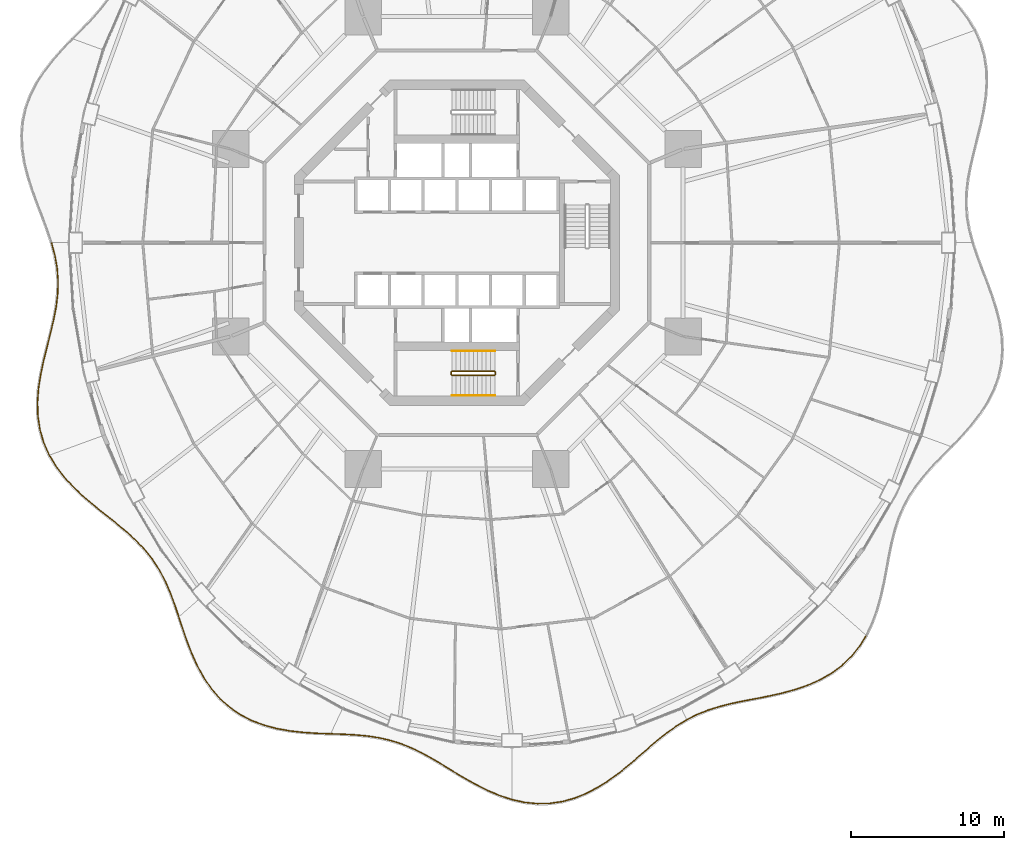
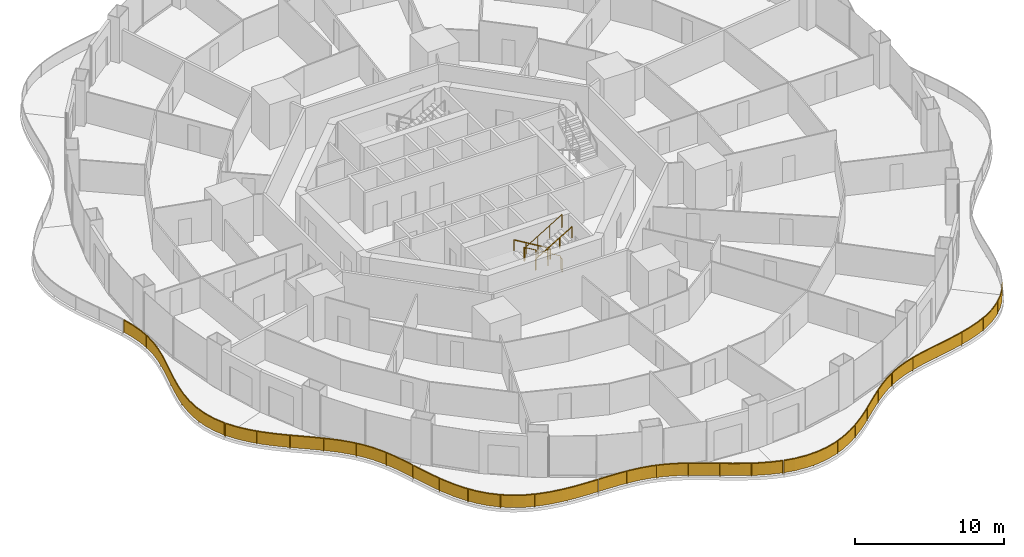
# One storey, part 20 of 22: 9 railings.
"""IFC4 building model written with IfcOpenShell, lengths in metres."""

import ifcopenshell
import ifcopenshell.guid

model = None  # the IFC model being written
_history = None  # IfcOwnerHistory: only IFC2X3 demands one
_inside = {}  # id of a spatial element -> (the spatial element, [elements in it])
_under = {}  # id of a project, library or spatial element -> (it, [spatial elements below it])
_declared = {}  # id of a project -> (the project, [libraries it declares])
_typed = {}  # id of a type object -> (the type object, [elements of that type])
_made_of = {}  # id of a material, layer set ... -> (it, [elements and type objects made of it])


def new_model(schema):
    """Start an empty IFC model of exactly this schema.

    Asked for "IFC4X3", IfcOpenShell would pick the latest addendum, in which some entities
    have other attributes; the version numbers below select the first issue.
    IFC2X3 requires an IfcOwnerHistory on every rooted entity: one is made here for all.
    """
    global model, _history
    if schema == "IFC4X3":
        model = ifcopenshell.file(schema_version=(4, 3, 0, 0))
    else:
        model = ifcopenshell.file(schema=schema)
    _inside.clear()
    _under.clear()
    _declared.clear()
    _typed.clear()
    _made_of.clear()
    _history = None
    if model.schema == "IFC2X3":
        org = make("IfcOrganization", Name="unknown")
        user = make(
            "IfcPersonAndOrganization",
            ThePerson=make("IfcPerson", FamilyName="unknown"),
            TheOrganization=org,
        )
        app = make(
            "IfcApplication",
            ApplicationDeveloper=org,
            Version="unknown",
            ApplicationFullName="unknown",
            ApplicationIdentifier="unknown",
        )
        _history = make(
            "IfcOwnerHistory",
            OwningUser=user,
            OwningApplication=app,
            ChangeAction="ADDED",
            CreationDate=0,
        )
    return model


def make(cls, **values):
    """One entity of the class cls with the attributes given. An attribute that is None is left unset."""
    return model.create_entity(
        cls, **{name: value for name, value in values.items() if value is not None}
    )


def rooted(cls, **values):
    """An entity with a GlobalId (a new one), such as an element, a storey or a relation."""
    return make(cls, GlobalId=ifcopenshell.guid.new(), OwnerHistory=_history, **values)


def si_unit(unit_type, name, prefix=None):
    """IfcSIUnit, for example si_unit("LENGTHUNIT", "METRE", prefix="MILLI")."""
    return make("IfcSIUnit", UnitType=unit_type, Prefix=prefix, Name=name)


def assignment(units):
    """IfcUnitAssignment: the units of a project."""
    return None if units is None else make("IfcUnitAssignment", Units=units)


def point(xyz):
    """IfcCartesianPoint."""
    return None if xyz is None else make("IfcCartesianPoint", Coordinates=xyz)


def direction(xyz):
    """IfcDirection."""
    return None if xyz is None else make("IfcDirection", DirectionRatios=xyz)


def frame(location, z_axis=None, x_axis=None):
    """IfcAxis2Placement3D, a coordinate frame: its origin and axes. An axis left out is left unset."""
    return make(
        "IfcAxis2Placement3D",
        Location=point(location),
        Axis=direction(z_axis),
        RefDirection=direction(x_axis),
    )


def frame_2d(location, x_axis=None):
    """IfcAxis2Placement2D, a coordinate frame in the plane: its origin and x axis."""
    return make(
        "IfcAxis2Placement2D", Location=point(location), RefDirection=direction(x_axis)
    )


def origin():
    """The frame at (0, 0, 0) with its axes left unset."""
    return frame((0.0, 0.0, 0.0))


def origin_2d():
    """The frame at (0, 0) in the plane with its x axis left unset."""
    return frame_2d((0.0, 0.0))


def place(relative_to, where):
    """IfcLocalPlacement: puts the frame where relative to a parent placement (None: the world)."""
    return make(
        "IfcLocalPlacement", PlacementRelTo=relative_to, RelativePlacement=where
    )


def context(
    kind, dimensions, precision=None, world=None, true_north=None, identifier=None
):
    """IfcGeometricRepresentationContext, for example the 3D "Model" context."""
    return make(
        "IfcGeometricRepresentationContext",
        ContextIdentifier=identifier,
        ContextType=kind,
        CoordinateSpaceDimension=dimensions,
        Precision=precision,
        WorldCoordinateSystem=world,
        TrueNorth=true_north,
    )


def subcontext(parent, identifier, kind, view, scale=None):
    """IfcGeometricRepresentationSubContext, for example "Body" below "Model"."""
    return make(
        "IfcGeometricRepresentationSubContext",
        ContextIdentifier=identifier,
        ContextType=kind,
        ParentContext=parent,
        TargetScale=scale,
        TargetView=view,
    )


def project(units=None, contexts=None):
    """IfcProject with its units and contexts."""
    return rooted(
        "IfcProject",
        Name="project",
        RepresentationContexts=contexts,
        UnitsInContext=assignment(units),
    )


def spatial(cls, under=None, at=None, **own):
    """A site, building, storey or space (cls), placed at a placement, below another one or the project."""
    s = rooted(cls, ObjectPlacement=at, **own)
    if under is not None:
        _under.setdefault(under.id(), (under, []))[1].append(s)
    return s


def polyline(points):
    """IfcPolyline through the points."""
    return make("IfcPolyline", Points=[point(p) for p in points])


def profile(cls, at=None, kind="AREA", **sizes):
    """A parametric profile (cls). Its sizes go by their IFC names, for example OverallWidth=200.0."""
    return make(cls, ProfileType=kind, Position=at, **sizes)


def rectangle(**sizes):
    """IfcRectangleProfileDef."""
    return profile("IfcRectangleProfileDef", **sizes)


def circle(**sizes):
    """IfcCircleProfileDef."""
    return profile("IfcCircleProfileDef", **sizes)


def outline(outer, holes=None, kind="AREA"):
    """IfcArbitraryClosedProfileDef: a profile drawn as a closed curve; with holes, ...WithVoids."""
    if holes is None:
        return make("IfcArbitraryClosedProfileDef", ProfileType=kind, OuterCurve=outer)
    return make(
        "IfcArbitraryProfileDefWithVoids",
        ProfileType=kind,
        OuterCurve=outer,
        InnerCurves=holes,
    )


def extrude(swept, where, along, depth):
    """IfcExtrudedAreaSolid: the profile swept, set in the frame where, extruded along a direction by depth."""
    return make(
        "IfcExtrudedAreaSolid",
        SweptArea=swept,
        Position=where,
        ExtrudedDirection=direction(along),
        Depth=depth,
    )


def shape(context_of_items, identifier, shape_type, items):
    """IfcShapeRepresentation: the items that make up one representation, for example the "Body"."""
    return make(
        "IfcShapeRepresentation",
        ContextOfItems=context_of_items,
        RepresentationIdentifier=identifier,
        RepresentationType=shape_type,
        Items=items,
    )


def material(Name=None, Category=None):
    """IfcMaterial."""
    return make("IfcMaterial", Name=Name, Category=Category)


def made_of(thing, what):
    """Note that an element or type object is made of a material, layer set ...; save() writes the relation."""
    if what is not None:
        _made_of.setdefault(what.id(), (what, []))[1].append(thing)
    return thing


def type_object(cls, material=None, **own):
    """A type object (cls), such as IfcWallType, which elements share."""
    return made_of(rooted(cls, **own), material)


def element(
    cls,
    number,
    at=None,
    inside=None,
    cuts=None,
    type_object=None,
    material=None,
    context=None,
    identifier="Body",
    shape_type=None,
    held_by="IfcProductDefinitionShape",
    body=None,
    shapes=None,
    **own,
):
    """One element of the class cls, such as IfcWall. Its Tag is "e" and its number.

    at: its placement. inside: the storey or other place that contains it. cuts: it is an
    opening in that element (IfcRelVoidsElement). A single representation is given by context,
    identifier, shape_type and body (its items); several are given by shapes. held_by: the class
    of the entity that holds the representations. save() writes the other relations.
    """
    e = rooted(cls, Tag="e%d" % number, ObjectPlacement=at, **own)
    if body is not None:
        shapes = [shape(context, identifier, shape_type, body)]
    if shapes is not None:
        e.Representation = make(held_by, Representations=shapes)
    if inside is not None:
        _inside.setdefault(inside.id(), (inside, []))[1].append(e)
    if cuts is not None:
        rooted(
            "IfcRelVoidsElement", RelatingBuildingElement=cuts, RelatedOpeningElement=e
        )
    if type_object is not None:
        _typed.setdefault(type_object.id(), (type_object, []))[1].append(e)
    return made_of(e, material)


def aggregate(whole, parts):
    """IfcRelAggregates: a whole, such as a stair, and the parts it consists of."""
    return rooted("IfcRelAggregates", RelatingObject=whole, RelatedObjects=parts)


def save(model, path):
    """Write the relations noted so far, then the file.

    IfcRelAggregates (storeys below a building ...), IfcRelContainedInSpatialStructure (elements
    in a storey), IfcRelDefinesByType, IfcRelAssociatesMaterial and IfcRelDeclares: one each for
    every whole, place, type object, material and project.
    """
    for whole, parts in _under.values():
        aggregate(whole, parts)
    for where, things in _inside.values():
        rooted(
            "IfcRelContainedInSpatialStructure",
            RelatedElements=things,
            RelatingStructure=where,
        )
    for kind, things in _typed.values():
        rooted("IfcRelDefinesByType", RelatedObjects=things, RelatingType=kind)
    for what, things in _made_of.values():
        rooted("IfcRelAssociatesMaterial", RelatedObjects=things, RelatingMaterial=what)
    for by, libraries in _declared.values():
        rooted("IfcRelDeclares", RelatingContext=by, RelatedDefinitions=libraries)
    model.write(path)


model = new_model("IFC4")

# Units and contexts
model_context = context("Model", 3, precision=1e-05, world=origin(), true_north=direction((0.0, 1.0)))
body_context = subcontext(model_context, "Body", "Model", "MODEL_VIEW")
ifc_project = project(units=[si_unit("LENGTHUNIT", "METRE"), si_unit("AREAUNIT", "SQUARE_METRE"), si_unit("VOLUMEUNIT", "CUBIC_METRE"), si_unit("PLANEANGLEUNIT", "RADIAN"), si_unit("MASSUNIT", "GRAM", prefix="KILO")], contexts=[model_context])

# Site, building, storey
site_placement = place(None, origin())
site = spatial("IfcSite", under=ifc_project, at=site_placement, CompositionType="ELEMENT")
building_placement = place(site_placement, origin())
building = spatial("IfcBuilding", under=site, at=building_placement, Name="Nagisa Residences", CompositionType="ELEMENT")
storey_placement = place(building_placement, frame((0.0, 0.0, 64.0)))
storey = spatial("IfcBuildingStorey", under=building, at=storey_placement, Name="L15", CompositionType="ELEMENT", Elevation=64.0)

# Railings
ifc_material_1 = material(Name="Stainless steel 316", Category="steel")
railing_type_1 = type_object("IfcRailingType", Name="BALCONY GUARD 1100", PredefinedType="BALUSTRADE", material=ifc_material_1)
railing_1_placement = place(storey_placement, frame((-26.470703125, -0.03466796875, 0.0)))
element("IfcRailing", 1, at=railing_1_placement, inside=storey, type_object=railing_type_1, Name="guard:L15:bal08-0", PredefinedType="BALUSTRADE", context=body_context, shape_type="SweptSolid", body=[
    extrude(outline(polyline([(0.231689453125, -0.779541015625), (0.024169921875, 0.00634765625), (-0.024169921875, -0.00634765625), (0.182861328125, -0.790283203125), (0.326904296875, -1.609130859375), (0.389892578125, -2.428466796875), (0.371337890625, -3.25439453125), (0.276611328125, -4.0927734375), (0.116455078125, -4.934326171875), (-0.087646484375, -5.80908203125), (-0.314697265625, -6.703125), (-0.540283203125, -7.6142578125), (-0.737548828125, -8.53759765625), (-0.884521484375, -9.452880859375), (-0.952392578125, -10.37890625), (-0.92529296875, -11.292236328125), (-0.790771484375, -12.183349609375), (-0.5419921875, -13.04296875), (-0.197265625, -13.81982421875), (-0.1513671875, -13.79931640625), (-0.49462890625, -13.02587890625), (-0.741943359375, -12.172607421875), (-0.87548828125, -11.287841796875), (-0.902099609375, -10.3798828125), (-0.834716796875, -9.458740234375), (-0.688232421875, -8.546875), (-0.491455078125, -7.62548828125), (-0.266357421875, -6.71533203125), (-0.038818359375, -5.82080078125), (0.165283203125, -4.944580078125), (0.325927734375, -4.10009765625), (0.421142578125, -3.2578125), (0.440185546875, -2.427001953125), (0.376708984375, -1.602783203125), (0.231689453125, -0.779541015625)])), frame((0.0, 0.0, 1.050048828125)), (0.0, 0.0, 1.0), 0.050048828125),
    extrude(outline(polyline([(0.214111328125, -0.783447265625), (0.0068359375, 0.001708984375), (-0.0068359375, -0.001708984375), (0.200439453125, -0.786376953125), (0.344970703125, -1.60693359375), (0.407958984375, -2.427978515625), (0.38916015625, -3.255615234375), (0.29443359375, -4.095458984375), (0.134033203125, -4.93798828125), (-0.070068359375, -5.813232421875), (-0.29736328125, -6.70751953125), (-0.522705078125, -7.618408203125), (-0.7197265625, -8.541015625), (-0.86669921875, -9.455078125), (-0.934326171875, -10.379150390625), (-0.907470703125, -11.290771484375), (-0.773193359375, -12.179443359375), (-0.52490234375, -13.036865234375), (-0.1806640625, -13.8125), (-0.16796875, -13.806640625), (-0.51171875, -13.031982421875), (-0.759521484375, -12.176513671875), (-0.893310546875, -11.289306640625), (-0.920166015625, -10.379638671875), (-0.8525390625, -9.45654296875), (-0.7060546875, -8.54345703125), (-0.509033203125, -7.621337890625), (-0.28369140625, -6.7109375), (-0.056396484375, -5.816650390625), (0.147705078125, -4.94091796875), (0.30810546875, -4.097412109375), (0.4033203125, -3.256591796875), (0.422119140625, -2.427490234375), (0.358642578125, -1.60498046875), (0.214111328125, -0.783447265625)])), frame((0.0, 0.0, 0.06005859375)), (0.0, 0.0, 1.0), 0.989990234375),
    extrude(rectangle(XDim=0.0400390625, YDim=0.0400390625, at=origin_2d()), origin(), (0.0, 0.0, 1.0), 1.050048828125),
    extrude(rectangle(XDim=0.0400390625, YDim=0.0400390625, at=origin_2d()), frame((0.406005859375, -2.309326171875, 0.0)), (0.0, 0.0, 1.0), 1.050048828125),
    extrude(rectangle(XDim=0.0400390625, YDim=0.0400390625, at=origin_2d()), frame((0.197021484375, -4.644287109375, 0.0)), (0.0, 0.0, 1.0), 1.050048828125),
    extrude(rectangle(XDim=0.0400390625, YDim=0.0400390625, at=origin_2d()), frame((-0.345458984375, -6.931396484375, 0.0)), (0.0, 0.0, 1.0), 1.050048828125),
    extrude(rectangle(XDim=0.0400390625, YDim=0.0400390625, at=origin_2d()), frame((-0.82373046875, -9.231689453125, 0.0)), (0.0, 0.0, 1.0), 1.050048828125),
    extrude(rectangle(XDim=0.0400390625, YDim=0.0400390625, at=origin_2d()), frame((-0.857666015625, -11.57373046875, 0.0)), (0.0, 0.0, 1.0), 1.050048828125),
    extrude(rectangle(XDim=0.0400390625, YDim=0.0400390625, at=origin_2d()), frame((-0.17431640625, -13.8095703125, 0.0)), (0.0, 0.0, 1.0), 1.050048828125),
])
railing_2_placement = place(storey_placement, frame((-26.609130859375, -13.91259765625, 0.0)))
element("IfcRailing", 2, at=railing_2_placement, inside=storey, type_object=railing_type_1, Name="guard:L15:bal09-0", PredefinedType="BALUSTRADE", context=body_context, shape_type="SweptSolid", body=[
    extrude(outline(polyline([(0.450927734375, -0.696044921875), (0.021484375, 0.012939453125), (-0.021484375, -0.012939453125), (0.409423828125, -0.724365234375), (0.952880859375, -1.432861328125), (1.56884765625, -2.098388671875), (2.238037109375, -2.724365234375), (2.9384765625, -3.317626953125), (3.6416015625, -3.874267578125), (4.33935546875, -4.43115234375), (5.005859375, -4.988037109375), (5.626708984375, -5.556640625), (6.190673828125, -6.1494140625), (6.68359375, -6.762939453125), (7.12255859375, -7.4306640625), (7.50439453125, -8.144287109375), (7.838623046875, -8.904052734375), (8.13916015625, -9.70654296875), (8.406982421875, -10.50244140625), (8.454345703125, -10.486328125), (8.1865234375, -9.68994140625), (7.885009765625, -8.885009765625), (7.54931640625, -8.122314453125), (7.16552734375, -7.4052734375), (6.72412109375, -6.733642578125), (6.228271484375, -6.1162109375), (5.661865234375, -5.52099609375), (5.0390625, -4.950439453125), (4.37109375, -4.392578125), (3.6728515625, -3.835205078125), (2.97021484375, -3.279052734375), (2.271240234375, -2.686767578125), (1.6044921875, -2.063232421875), (0.990966796875, -1.400634765625), (0.450927734375, -0.696044921875)])), frame((0.0, 0.0, 1.050048828125)), (0.0, 0.0, 1.0), 0.050048828125),
    extrude(outline(polyline([(0.43603515625, -0.706298828125), (0.006103515625, 0.003662109375), (-0.006103515625, -0.003662109375), (0.42431640625, -0.714111328125), (0.966552734375, -1.42138671875), (1.581787109375, -2.085693359375), (2.25, -2.710693359375), (2.949951171875, -3.3037109375), (3.65283203125, -3.860107421875), (4.350830078125, -4.417236328125), (5.017822265625, -4.974609375), (5.639404296875, -5.543701171875), (6.2041015625, -6.137451171875), (6.6982421875, -6.75244140625), (7.137939453125, -7.421630859375), (7.5205078125, -8.136474609375), (7.855224609375, -8.897216796875), (8.15625, -9.70068359375), (8.424072265625, -10.49658203125), (8.437255859375, -10.4921875), (8.16943359375, -9.69580078125), (7.868408203125, -8.891845703125), (7.533203125, -8.130126953125), (7.150146484375, -7.414306640625), (6.70947265625, -6.744140625), (6.21484375, -6.128173828125), (5.649169921875, -5.533935546875), (5.027099609375, -4.9638671875), (4.359619140625, -4.406494140625), (3.66162109375, -3.849365234375), (2.958740234375, -3.29296875), (2.25927734375, -2.700439453125), (1.591552734375, -2.075927734375), (0.977294921875, -1.412109375), (0.43603515625, -0.706298828125)])), frame((0.0, 0.0, 0.06005859375)), (0.0, 0.0, 1.0), 0.989990234375),
    extrude(rectangle(XDim=0.0400390625, YDim=0.0400390625, at=origin_2d()), origin(), (0.0, 0.0, 1.0), 1.050048828125),
    extrude(rectangle(XDim=0.0400390625, YDim=0.0400390625, at=origin_2d()), frame((1.35546875, -1.8310546875, 0.0)), (0.0, 0.0, 1.0), 1.050048828125),
    extrude(rectangle(XDim=0.0400390625, YDim=0.0400390625, at=origin_2d()), frame((3.043212890625, -3.36865234375, 0.0)), (0.0, 0.0, 1.0), 1.050048828125),
    extrude(rectangle(XDim=0.0400390625, YDim=0.0400390625, at=origin_2d()), frame((4.822509765625, -4.80224609375, 0.0)), (0.0, 0.0, 1.0), 1.050048828125),
    extrude(rectangle(XDim=0.0400390625, YDim=0.0400390625, at=origin_2d()), frame((6.435791015625, -6.414794921875, 0.0)), (0.0, 0.0, 1.0), 1.050048828125),
    extrude(rectangle(XDim=0.0400390625, YDim=0.0400390625, at=origin_2d()), frame((7.62548828125, -8.357177734375, 0.0)), (0.0, 0.0, 1.0), 1.050048828125),
    extrude(rectangle(XDim=0.0400390625, YDim=0.0400390625, at=origin_2d()), frame((8.4306640625, -10.494384765625, 0.0)), (0.0, 0.0, 1.0), 1.050048828125),
])
railing_3_placement = place(storey_placement, frame((-18.156494140625, -24.47900390625, 0.0)))
element("IfcRailing", 3, at=railing_3_placement, inside=storey, type_object=railing_type_1, Name="guard:L15:bal10-0", PredefinedType="BALUSTRADE", context=body_context, shape_type="SweptSolid", body=[
    extrude(outline(polyline([(0.27880859375, -0.77001953125), (0.023681640625, 0.0078125), (-0.023681640625, -0.0078125), (0.2314453125, -0.7861328125), (0.52001953125, -1.61474609375), (0.841796875, -2.4365234375), (1.2099609375, -3.236083984375), (1.6357421875, -3.9970703125), (2.114990234375, -4.6943359375), (2.67626953125, -5.335205078125), (3.3076171875, -5.898681640625), (4.005126953125, -6.377197265625), (4.7626953125, -6.76806640625), (5.557373046875, -7.064453125), (6.40185546875, -7.2880859375), (7.27294921875, -7.442138671875), (8.15673828125, -7.539306640625), (9.040771484375, -7.59619140625), (9.868896484375, -7.626708984375), (9.870849609375, -7.576904296875), (9.043212890625, -7.54638671875), (8.1611328125, -7.489501953125), (7.2802734375, -7.392333984375), (6.41259765625, -7.2392578125), (5.572509765625, -7.0166015625), (4.783203125, -6.72216796875), (4.031005859375, -6.334228515625), (3.33837890625, -5.859130859375), (2.7119140625, -5.300048828125), (2.154541015625, -4.66357421875), (1.67822265625, -3.970703125), (1.25439453125, -3.213134765625), (0.8876953125, -2.4169921875), (0.56689453125, -1.59716796875), (0.27880859375, -0.77001953125)])), frame((0.0, 0.0, 1.050048828125)), (0.0, 0.0, 1.0), 0.050048828125),
    extrude(outline(polyline([(0.26171875, -0.77587890625), (0.006591796875, 0.002197265625), (-0.006591796875, -0.002197265625), (0.24853515625, -0.7802734375), (0.536865234375, -1.6083984375), (0.8583984375, -2.429443359375), (1.225830078125, -3.227783203125), (1.651123046875, -3.987548828125), (2.129150390625, -4.683349609375), (2.689208984375, -5.322509765625), (3.318603515625, -5.884521484375), (4.014404296875, -6.36181640625), (4.77001953125, -6.75146484375), (5.562744140625, -7.047119140625), (6.40576171875, -7.2705078125), (7.275634765625, -7.424072265625), (8.158447265625, -7.521484375), (9.041748046875, -7.578369140625), (9.86962890625, -7.60888671875), (9.8701171875, -7.5947265625), (9.042236328125, -7.564208984375), (8.159423828125, -7.50732421875), (7.277587890625, -7.410400390625), (6.40869140625, -7.2568359375), (5.567138671875, -7.033935546875), (4.77587890625, -6.73876953125), (4.021728515625, -6.349609375), (3.327392578125, -5.873291015625), (2.698974609375, -5.312744140625), (2.140380859375, -4.674560546875), (1.662841796875, -3.980224609375), (1.238525390625, -3.221435546875), (0.87109375, -2.424072265625), (0.550048828125, -1.603515625), (0.26171875, -0.77587890625)])), frame((0.0, 0.0, 0.06005859375)), (0.0, 0.0, 1.0), 0.989990234375),
    extrude(rectangle(XDim=0.0400390625, YDim=0.0400390625, at=origin_2d()), origin(), (0.0, 0.0, 1.0), 1.050048828125),
    extrude(rectangle(XDim=0.0400390625, YDim=0.0400390625, at=origin_2d()), frame((0.760986328125, -2.16162109375, 0.0)), (0.0, 0.0, 1.0), 1.050048828125),
    extrude(rectangle(XDim=0.0400390625, YDim=0.0400390625, at=origin_2d()), frame((1.8037109375, -4.197509765625, 0.0)), (0.0, 0.0, 1.0), 1.050048828125),
    extrude(rectangle(XDim=0.0400390625, YDim=0.0400390625, at=origin_2d()), frame((3.336181640625, -5.887939453125, 0.0)), (0.0, 0.0, 1.0), 1.050048828125),
    extrude(rectangle(XDim=0.0400390625, YDim=0.0400390625, at=origin_2d()), frame((5.35009765625, -6.96044921875, 0.0)), (0.0, 0.0, 1.0), 1.050048828125),
    extrude(rectangle(XDim=0.0400390625, YDim=0.0400390625, at=origin_2d()), frame((7.58349609375, -7.450927734375, 0.0)), (0.0, 0.0, 1.0), 1.050048828125),
    extrude(rectangle(XDim=0.0400390625, YDim=0.0400390625, at=origin_2d()), frame((9.869873046875, -7.601806640625, 0.0)), (0.0, 0.0, 1.0), 1.050048828125),
])
railing_4_placement = place(storey_placement, frame((-8.2109375, -32.081787109375, 0.0)))
element("IfcRailing", 4, at=railing_4_placement, inside=storey, type_object=railing_type_1, Name="guard:L15:bal11-0", PredefinedType="BALUSTRADE", context=body_context, shape_type="SweptSolid", body=[
    extrude(outline(polyline([(0.779541015625, -0.001708984375), (0.0009765625, 0.02490234375), (-0.0009765625, -0.02490234375), (0.777099609375, -0.051513671875), (1.577880859375, -0.09521484375), (2.35302734375, -0.16748046875), (3.1015625, -0.280517578125), (3.826416015625, -0.443359375), (4.51513671875, -0.6572265625), (5.20703125, -0.93310546875), (5.892333984375, -1.2626953125), (6.57861328125, -1.639404296875), (7.27294921875, -2.05126953125), (7.963623046875, -2.481201171875), (8.690673828125, -2.917724609375), (9.439208984375, -3.338623046875), (10.21044921875, -3.72509765625), (11.0029296875, -4.058349609375), (11.766357421875, -4.30859375), (11.781982421875, -4.26123046875), (11.0205078125, -4.011474609375), (10.2314453125, -3.6796875), (9.462646484375, -3.294189453125), (8.715576171875, -2.874267578125), (7.989501953125, -2.438720703125), (7.298828125, -2.00830078125), (6.603515625, -1.595947265625), (5.915283203125, -1.21826171875), (5.22705078125, -0.88720703125), (4.53173828125, -0.60986328125), (3.839111328125, -0.39501953125), (3.11083984375, -0.231201171875), (2.35888671875, -0.11767578125), (1.581787109375, -0.04541015625), (0.779541015625, -0.001708984375)])), frame((0.0, 0.0, 1.050048828125)), (0.0, 0.0, 1.0), 0.050048828125),
    extrude(outline(polyline([(0.778564453125, -0.01953125), (0.000244140625, 0.007080078125), (-0.000244140625, -0.007080078125), (0.778076171875, -0.03369140625), (1.579345703125, -0.077392578125), (2.355224609375, -0.1494140625), (3.10498046875, -0.2626953125), (3.8310546875, -0.426025390625), (4.52099609375, -0.64013671875), (5.214111328125, -0.91650390625), (5.900634765625, -1.246826171875), (6.587646484375, -1.623779296875), (7.2822265625, -2.035888671875), (7.972900390625, -2.4658203125), (8.69970703125, -2.902099609375), (9.44775390625, -3.322509765625), (10.218017578125, -3.708740234375), (11.00927734375, -4.04150390625), (11.77197265625, -4.29150390625), (11.7763671875, -4.2783203125), (11.01416015625, -4.0283203125), (10.223876953125, -3.696044921875), (9.4541015625, -3.310302734375), (8.70654296875, -2.889892578125), (7.980224609375, -2.4541015625), (7.28955078125, -2.023681640625), (6.594482421875, -1.611572265625), (5.906982421875, -1.234130859375), (5.219970703125, -0.90380859375), (4.52587890625, -0.626953125), (3.83447265625, -0.412353515625), (3.107421875, -0.2490234375), (2.356689453125, -0.1357421875), (1.580322265625, -0.063232421875), (0.778564453125, -0.01953125)])), frame((0.0, 0.0, 0.06005859375)), (0.0, 0.0, 1.0), 0.989990234375),
    extrude(rectangle(XDim=0.0400390625, YDim=0.0400390625, at=origin_2d()), origin(), (0.0, 0.0, 1.0), 1.050048828125),
    extrude(rectangle(XDim=0.0400390625, YDim=0.0400390625, at=origin_2d()), frame((2.117431640625, -0.120361328125, 0.0)), (0.0, 0.0, 1.0), 1.050048828125),
    extrude(rectangle(XDim=0.0400390625, YDim=0.0400390625, at=origin_2d()), frame((4.1943359375, -0.531494140625, 0.0)), (0.0, 0.0, 1.0), 1.050048828125),
    extrude(rectangle(XDim=0.0400390625, YDim=0.0400390625, at=origin_2d()), frame((6.138671875, -1.369384765625, 0.0)), (0.0, 0.0, 1.0), 1.050048828125),
    extrude(rectangle(XDim=0.0400390625, YDim=0.0400390625, at=origin_2d()), frame((7.962890625, -2.451416015625, 0.0)), (0.0, 0.0, 1.0), 1.050048828125),
    extrude(rectangle(XDim=0.0400390625, YDim=0.0400390625, at=origin_2d()), frame((9.80859375, -3.49560546875, 0.0)), (0.0, 0.0, 1.0), 1.050048828125),
    extrude(rectangle(XDim=0.0400390625, YDim=0.0400390625, at=origin_2d()), frame((11.774169921875, -4.284912109375, 0.0)), (0.0, 0.0, 1.0), 1.050048828125),
])
railing_5_placement = place(storey_placement, frame((3.6376953125, -36.3876953125, 0.0)))
element("IfcRailing", 5, at=railing_5_placement, inside=storey, type_object=railing_type_1, Name="guard:L15:bal12-0", PredefinedType="BALUSTRADE", context=body_context, shape_type="SweptSolid", body=[
    extrude(outline(polyline([(0.77783203125, -0.145751953125), (0.00537109375, 0.0244140625), (-0.00537109375, -0.0244140625), (0.77001953125, -0.195068359375), (1.599609375, -0.27978515625), (2.427978515625, -0.26318359375), (3.247802734375, -0.14404296875), (4.050537109375, 0.075439453125), (4.8154296875, 0.384521484375), (5.56982421875, 0.777099609375), (6.295166015625, 1.236328125), (6.990478515625, 1.74462890625), (7.658203125, 2.283447265625), (8.284912109375, 2.829345703125), (8.9111328125, 3.37353515625), (9.52685546875, 3.8955078125), (10.140625, 4.381103515625), (10.76171875, 4.8203125), (11.361572265625, 5.185546875), (11.335693359375, 5.228515625), (10.734375, 4.8623046875), (10.11083984375, 4.421142578125), (9.4951171875, 3.93408203125), (8.87841796875, 3.41162109375), (8.252197265625, 2.866943359375), (7.6259765625, 2.322021484375), (6.960205078125, 1.7841796875), (6.266845703125, 1.27783203125), (5.544921875, 0.820556640625), (4.79443359375, 0.429931640625), (4.034423828125, 0.122802734375), (3.237548828125, -0.0947265625), (2.424072265625, -0.21337890625), (1.6015625, -0.2294921875), (0.77783203125, -0.145751953125)])), frame((0.0, 0.0, 1.050048828125)), (0.0, 0.0, 1.0), 0.050048828125),
    extrude(outline(polyline([(0.775146484375, -0.16357421875), (0.00146484375, 0.0068359375), (-0.00146484375, -0.0068359375), (0.772705078125, -0.17724609375), (1.600341796875, -0.26171875), (2.426513671875, -0.245361328125), (3.244140625, -0.126220703125), (4.044677734375, 0.092529296875), (4.807861328125, 0.40087890625), (5.560791015625, 0.792724609375), (6.284912109375, 1.251220703125), (6.9794921875, 1.7587890625), (7.646484375, 2.29736328125), (8.273193359375, 2.8427734375), (8.8994140625, 3.38720703125), (9.515380859375, 3.909423828125), (10.1298828125, 4.3955078125), (10.751953125, 4.83544921875), (11.352294921875, 5.201171875), (11.344970703125, 5.212890625), (10.744140625, 4.84716796875), (10.12158203125, 4.40673828125), (9.506591796875, 3.920166015625), (8.89013671875, 3.39794921875), (8.263916015625, 2.853515625), (7.6376953125, 2.30810546875), (6.97119140625, 1.77001953125), (6.277099609375, 1.262939453125), (5.553955078125, 0.804931640625), (4.802001953125, 0.41357421875), (4.040283203125, 0.105712890625), (3.2412109375, -0.112548828125), (2.425537109375, -0.231201171875), (1.600830078125, -0.24755859375), (0.775146484375, -0.16357421875)])), frame((0.0, 0.0, 0.06005859375)), (0.0, 0.0, 1.0), 0.989990234375),
    extrude(rectangle(XDim=0.0400390625, YDim=0.0400390625, at=origin_2d()), origin(), (0.0, 0.0, 1.0), 1.050048828125),
    extrude(rectangle(XDim=0.0400390625, YDim=0.0400390625, at=origin_2d()), frame((2.154541015625, -0.24365234375, 0.0)), (0.0, 0.0, 1.0), 1.050048828125),
    extrude(rectangle(XDim=0.0400390625, YDim=0.0400390625, at=origin_2d()), frame((4.275634765625, 0.193359375, 0.0)), (0.0, 0.0, 1.0), 1.050048828125),
    extrude(rectangle(XDim=0.0400390625, YDim=0.0400390625, at=origin_2d()), frame((6.1982421875, 1.20458984375, 0.0)), (0.0, 0.0, 1.0), 1.050048828125),
    extrude(rectangle(XDim=0.0400390625, YDim=0.0400390625, at=origin_2d()), frame((7.91552734375, 2.540771484375, 0.0)), (0.0, 0.0, 1.0), 1.050048828125),
    extrude(rectangle(XDim=0.0400390625, YDim=0.0400390625, at=origin_2d()), frame((9.5673828125, 3.95947265625, 0.0)), (0.0, 0.0, 1.0), 1.050048828125),
    extrude(rectangle(XDim=0.0400390625, YDim=0.0400390625, at=origin_2d()), frame((11.3486328125, 5.20703125, 0.0)), (0.0, 0.0, 1.0), 1.050048828125),
])
railing_6_placement = place(storey_placement, frame((15.04638671875, -31.146728515625, 0.0)))
element("IfcRailing", 6, at=railing_6_placement, inside=storey, type_object=railing_type_1, Name="guard:L15:bal13-0", PredefinedType="BALUSTRADE", context=body_context, shape_type="SweptSolid", body=[
    extrude(outline(polyline([(0.63720703125, 0.34765625), (-0.01123046875, 0.0224609375), (0.01123046875, -0.0224609375), (0.65771484375, 0.3017578125), (1.37255859375, 0.58837890625), (2.121337890625, 0.8251953125), (2.905029296875, 1.022705078125), (3.72021484375, 1.19482421875), (4.54736328125, 1.3486328125), (5.405029296875, 1.519287109375), (6.26708984375, 1.71484375), (7.120361328125, 1.951171875), (7.94970703125, 2.24267578125), (8.72900390625, 2.58935546875), (9.468994140625, 3.019775390625), (10.145263671875, 3.52783203125), (10.749267578125, 4.1123046875), (11.275390625, 4.768798828125), (11.696044921875, 5.4501953125), (11.653564453125, 5.4765625), (11.234375, 4.797607421875), (10.712158203125, 4.14599609375), (10.112548828125, 3.56591796875), (9.441162109375, 3.061767578125), (8.7060546875, 2.6337890625), (7.93115234375, 2.2890625), (7.105224609375, 1.9990234375), (6.2548828125, 1.76318359375), (5.394775390625, 1.568115234375), (4.5380859375, 1.39794921875), (3.71044921875, 1.244140625), (2.893798828125, 1.071533203125), (2.107666015625, 0.87353515625), (1.35546875, 0.6357421875), (0.63720703125, 0.34765625)])), frame((0.0, 0.0, 1.050048828125)), (0.0, 0.0, 1.0), 0.050048828125),
    extrude(outline(polyline([(0.64453125, 0.3310546875), (-0.003173828125, 0.00634765625), (0.003173828125, -0.00634765625), (0.650390625, 0.318359375), (1.366455078125, 0.60546875), (2.116455078125, 0.842529296875), (2.90087890625, 1.040283203125), (3.716796875, 1.212646484375), (4.5439453125, 1.366455078125), (5.4013671875, 1.536865234375), (6.2626953125, 1.732177734375), (7.114990234375, 1.968505859375), (7.943115234375, 2.25927734375), (8.720703125, 2.605224609375), (9.458984375, 3.034912109375), (10.133544921875, 3.54150390625), (10.73583984375, 4.12451171875), (11.260498046875, 4.779052734375), (11.6806640625, 5.459716796875), (11.6689453125, 5.467041015625), (11.249267578125, 4.787353515625), (10.7255859375, 4.1337890625), (10.124267578125, 3.55224609375), (9.451171875, 3.046630859375), (8.71435546875, 2.617919921875), (7.937744140625, 2.2724609375), (7.110595703125, 1.981689453125), (6.25927734375, 1.745849609375), (5.3984375, 1.550537109375), (4.54150390625, 1.380126953125), (3.7138671875, 1.226318359375), (2.89794921875, 1.053955078125), (2.112548828125, 0.856201171875), (1.361572265625, 0.61865234375), (0.64453125, 0.3310546875)])), frame((0.0, 0.0, 0.06005859375)), (0.0, 0.0, 1.0), 0.989990234375),
    extrude(rectangle(XDim=0.0400390625, YDim=0.0400390625, at=origin_2d()), origin(), (0.0, 0.0, 1.0), 1.050048828125),
    extrude(rectangle(XDim=0.0400390625, YDim=0.0400390625, at=origin_2d()), frame((2.052001953125, 0.82958984375, 0.0)), (0.0, 0.0, 1.0), 1.050048828125),
    extrude(rectangle(XDim=0.0400390625, YDim=0.0400390625, at=origin_2d()), frame((4.2158203125, 1.3125, 0.0)), (0.0, 0.0, 1.0), 1.050048828125),
    extrude(rectangle(XDim=0.0400390625, YDim=0.0400390625, at=origin_2d()), frame((6.385009765625, 1.7734375, 0.0)), (0.0, 0.0, 1.0), 1.050048828125),
    extrude(rectangle(XDim=0.0400390625, YDim=0.0400390625, at=origin_2d()), frame((8.475341796875, 2.50390625, 0.0)), (0.0, 0.0, 1.0), 1.050048828125),
    extrude(rectangle(XDim=0.0400390625, YDim=0.0400390625, at=origin_2d()), frame((10.3134765625, 3.7255859375, 0.0)), (0.0, 0.0, 1.0), 1.050048828125),
    extrude(rectangle(XDim=0.0400390625, YDim=0.0400390625, at=origin_2d()), frame((11.6748046875, 5.46337890625, 0.0)), (0.0, 0.0, 1.0), 1.050048828125),
])
ifc_material_2 = material(Name="Stainless steel", Category="steel")
railing_type_2 = type_object("IfcRailingType", Name="Stair guard 1100", PredefinedType="GUARDRAIL", material=ifc_material_2)
railing_7_placement = place(storey_placement, frame((2.52490234375, -8.599609375, 0.0)))
element("IfcRailing", 7, at=railing_7_placement, inside=storey, type_object=railing_type_2, Name="L15 ST-S stair guard 1", PredefinedType="GUARDRAIL", context=body_context, shape_type="SweptSolid", body=[
    extrude(circle(Radius=0.02392578125, at=origin_2d()), frame((0.0, 0.0, 1.076171875), z_axis=(0.0, 1.0, 0.0), x_axis=(-1.0, 0.0, 0.0)), (0.0, 0.0, 1.0), 0.14990234375),
    extrude(circle(Radius=0.02392578125, at=origin_2d()), frame((0.0, 0.14990234375, 1.076171875), z_axis=(-0.273006030465, 0.27434429532, 0.922064485248), x_axis=(-0.708833529934, -0.705375805398, 0.0)), (0.0, 0.0, 1.0), 0.182373046875),
    extrude(circle(Radius=0.02392578125, at=origin_2d()), frame((-0.0498046875, 0.199951171875, 1.244140625), z_axis=(-0.857242210791, 0.0, 0.514913383045), x_axis=(0.0, -1.0, 0.0)), (0.0, 0.0, 1.0), 3.266357421875),
    extrude(circle(Radius=0.02392578125, at=origin_2d()), frame((-2.849853515625, 0.199951171875, 2.92626953125), z_axis=(-0.707106781187, -0.707106781187, 0.0), x_axis=(0.707106781187, -0.707106781187, 0.0)), (0.0, 0.0, 1.0), 0.07080078125),
    extrude(circle(Radius=0.02392578125, at=origin_2d()), frame((-2.89990234375, 0.14990234375, 2.92626953125), z_axis=(0.0, -1.0, 0.0), x_axis=(1.0, 0.0, 0.0)), (0.0, 0.0, 1.0), 0.14990234375),
    extrude(circle(Radius=0.02392578125, at=origin_2d()), frame((-2.89990234375, 0.0, 2.92626953125), z_axis=(0.274582412415, -0.274582412415, 0.921525364591), x_axis=(0.707106781187, 0.707106781187, 0.0)), (0.0, 0.0, 1.0), 0.182373046875),
    extrude(circle(Radius=0.02392578125, at=origin_2d()), frame((-2.849853515625, -0.050048828125, 3.09423828125), z_axis=(0.857242210791, 0.0, 0.514913383045), x_axis=(0.0, 1.0, 0.0)), (0.0, 0.0, 1.0), 3.266357421875),
    extrude(circle(Radius=0.02099609375, at=origin_2d()), origin(), (0.0, 0.0, 1.0), 1.052001953125),
    extrude(circle(Radius=0.02099609375, at=origin_2d()), frame((0.0, 0.14990234375, 0.0)), (0.0, 0.0, 1.0), 1.052001953125),
    extrude(circle(Radius=0.02099609375, at=origin_2d()), frame((-0.0498046875, 0.199951171875, 0.168212890625)), (0.0, 0.0, 1.0), 1.052001953125),
    extrude(circle(Radius=0.02099609375, at=origin_2d()), frame((-0.983154296875, 0.199951171875, 0.728759765625)), (0.0, 0.0, 1.0), 1.052001953125),
    extrude(circle(Radius=0.02099609375, at=origin_2d()), frame((-1.91650390625, 0.199951171875, 1.28955078125)), (0.0, 0.0, 1.0), 1.052001953125),
    extrude(circle(Radius=0.02099609375, at=origin_2d()), frame((-2.849853515625, 0.199951171875, 1.85009765625)), (0.0, 0.0, 1.0), 1.052001953125),
    extrude(circle(Radius=0.02099609375, at=origin_2d()), frame((-2.89990234375, 0.14990234375, 1.85009765625)), (0.0, 0.0, 1.0), 1.052001953125),
    extrude(circle(Radius=0.02099609375, at=origin_2d()), frame((-2.89990234375, 0.0, 1.85009765625)), (0.0, 0.0, 1.0), 1.052001953125),
    extrude(circle(Radius=0.02099609375, at=origin_2d()), frame((-2.849853515625, -0.050048828125, 2.01806640625)), (0.0, 0.0, 1.0), 1.052001953125),
    extrude(circle(Radius=0.02099609375, at=origin_2d()), frame((-1.91650390625, -0.050048828125, 2.57861328125)), (0.0, 0.0, 1.0), 1.052001953125),
    extrude(circle(Radius=0.02099609375, at=origin_2d()), frame((-0.983154296875, -0.050048828125, 3.139404296875)), (0.0, 0.0, 1.0), 1.052001953125),
    extrude(circle(Radius=0.02099609375, at=origin_2d()), frame((-0.0498046875, -0.050048828125, 3.699951171875)), (0.0, 0.0, 1.0), 1.052001953125),
])
ifc_material_3 = material(Name="Stainless steel", Category="steel")
railing_type_3 = type_object("IfcRailingType", Name="Stair handrail 900", PredefinedType="HANDRAIL", material=ifc_material_3)
railing_8_placement = place(storey_placement, frame((2.47509765625, -7.07470703125, 0.168212890625)))
element("IfcRailing", 8, at=railing_8_placement, inside=storey, type_object=railing_type_3, Name="L15 ST-S stair handrail 1", PredefinedType="HANDRAIL", context=body_context, shape_type="SweptSolid", body=[
    extrude(circle(Radius=0.02392578125, at=origin_2d()), frame((0.0, 0.0, 0.8759765625), z_axis=(-0.857242210791, 0.0, 0.514913383045), x_axis=(0.0, -1.0, 0.0)), (0.0, 0.0, 1.0), 3.266357421875),
    extrude(circle(Radius=0.02099609375, at=origin_2d()), origin(), (0.0, 0.0, 1.0), 0.851806640625),
    extrude(circle(Radius=0.02099609375, at=origin_2d()), frame((-0.933349609375, 0.0, 0.560546875)), (0.0, 0.0, 1.0), 0.851806640625),
    extrude(circle(Radius=0.02099609375, at=origin_2d()), frame((-1.86669921875, 0.0, 1.121337890625)), (0.0, 0.0, 1.0), 0.851806640625),
    extrude(circle(Radius=0.02099609375, at=origin_2d()), frame((-2.800048828125, 0.0, 1.681884765625)), (0.0, 0.0, 1.0), 0.851806640625),
])
railing_9_placement = place(storey_placement, frame((-0.324951171875, -9.974609375, 2.01806640625)))
element("IfcRailing", 9, at=railing_9_placement, inside=storey, type_object=railing_type_3, Name="L15 ST-S stair handrail 2", PredefinedType="HANDRAIL", context=body_context, shape_type="SweptSolid", body=[
    extrude(circle(Radius=0.02392578125, at=origin_2d()), frame((0.0, 0.0, 0.8759765625), z_axis=(0.857242210791, 0.0, 0.514913383045), x_axis=(0.0, 1.0, 0.0)), (0.0, 0.0, 1.0), 3.266357421875),
    extrude(circle(Radius=0.02099609375, at=origin_2d()), origin(), (0.0, 0.0, 1.0), 0.851806640625),
    extrude(circle(Radius=0.02099609375, at=origin_2d()), frame((0.933349609375, 0.0, 0.560546875)), (0.0, 0.0, 1.0), 0.851806640625),
    extrude(circle(Radius=0.02099609375, at=origin_2d()), frame((1.86669921875, 0.0, 1.121337890625)), (0.0, 0.0, 1.0), 0.851806640625),
    extrude(circle(Radius=0.02099609375, at=origin_2d()), frame((2.800048828125, 0.0, 1.681884765625)), (0.0, 0.0, 1.0), 0.851806640625),
])

save(model, "model.ifc")
